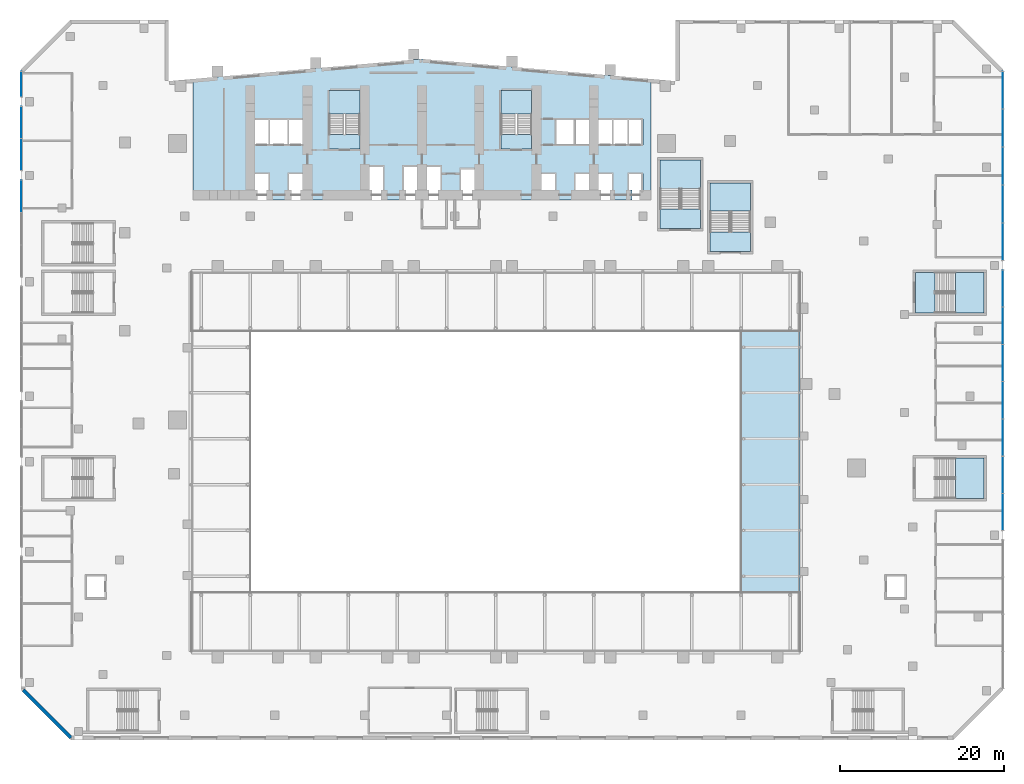
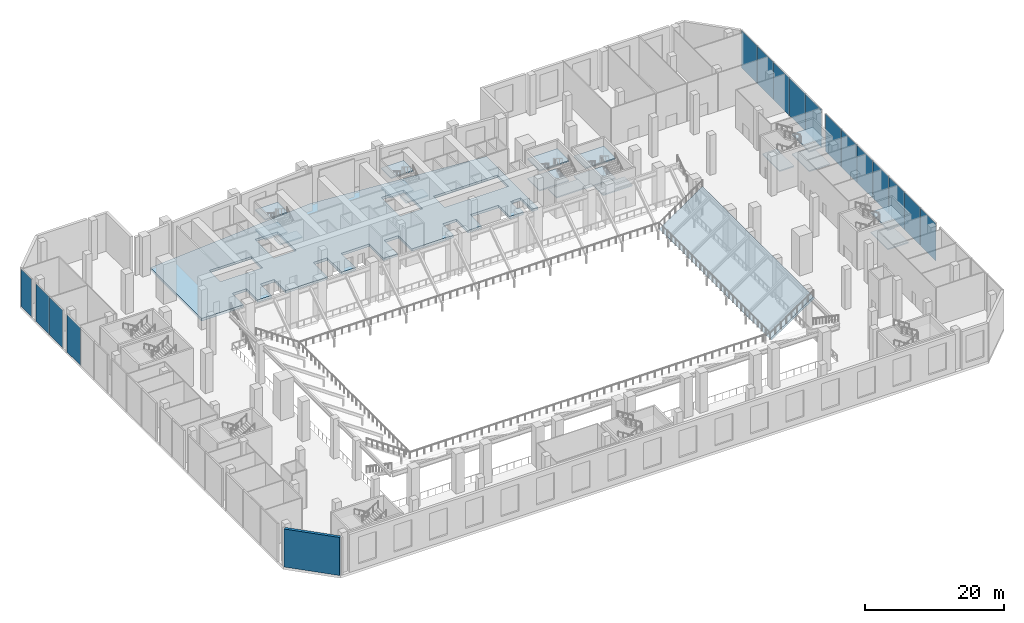
# One storey, part 19 of 41: 19 slabs, 16 plates, 1 wall, 11 elements without a shape of their own.
"""IFC4 building model written with IfcOpenShell, lengths in metres."""

from ifc_helpers import new_model, si_unit, direction, frame, frame_2d, origin, origin_2d, place, context, subcontext, project, spatial, polyline, rectangle, outline, extrude, material, layer, layer_set, type_object, element, aggregate, save


model = new_model("IFC4")

# Units and contexts
model_context = context("Model", 3, precision=1e-05, world=origin(), true_north=direction((0.0, 1.0)))
body_context = subcontext(model_context, "Body", "Model", "MODEL_VIEW")
ifc_project = project(units=[si_unit("LENGTHUNIT", "METRE"), si_unit("AREAUNIT", "SQUARE_METRE"), si_unit("VOLUMEUNIT", "CUBIC_METRE"), si_unit("PLANEANGLEUNIT", "RADIAN"), si_unit("MASSUNIT", "GRAM", prefix="KILO")], contexts=[model_context])

# Site, building, storey
site_placement = place(None, origin())
site = spatial("IfcSite", under=ifc_project, at=site_placement, CompositionType="ELEMENT")
building_placement = place(site_placement, origin())
building = spatial("IfcBuilding", under=site, at=building_placement, Name="Wharfspan Tower", CompositionType="ELEMENT")
storey_placement = place(building_placement, frame((0.0, 0.0, 8.0)))
storey = spatial("IfcBuildingStorey", under=building, at=storey_placement, Name="L01", CompositionType="ELEMENT", Elevation=8.0)

# Curtain wall, plates
ifc_material_1 = material(Name="Aluminium 6063-T6", Category="aluminium")
curtain_wall_type = type_object("IfcCurtainWallType", Name="CURTAIN WALL ARENA STICK WALL", PredefinedType="NOTDEFINED", material=ifc_material_1)
curtain_wall_1_placement = place(storey_placement, origin())
curtain_wall_1 = element("IfcCurtainWall", 1, at=curtain_wall_1_placement, inside=storey, type_object=curtain_wall_type, Name="Concourse stick wall PF3.2", PredefinedType="NOTDEFINED")
ifc_material_2 = material(Name="Glass clear laminated double glazing", Category="glass")
ifc_layer_1 = layer(ifc_material_2, 0.040039)
ifc_layer_set_1 = layer_set([ifc_layer_1], Name="Glass clear laminated double glazing")
plate_type = type_object("IfcPlateType", Name="GLASS PANEL ARENA STICK WALL 40", PredefinedType="CURTAIN_PANEL", material=ifc_layer_set_1)
plate_1_placement = place(storey_placement, frame((108.0, -4.153809, 0.0), z_axis=(0.0, 0.0, 1.0), x_axis=(0.0, 1.0, 0.0)))
plate_1 = element("IfcPlate", 2, at=plate_1_placement, type_object=plate_type, Name="Concourse stick wall PF3.2 panel 1", PredefinedType="CURTAIN_PANEL", context=body_context, shape_type="SweptSolid", body=[
    extrude(rectangle(XDim=4.452148, YDim=0.040039, at=origin_2d()), origin(), (0.0, 0.0, 1.0), 6.610107),
])
plate_2_placement = place(storey_placement, frame((108.0, 0.385742, 0.0), z_axis=(0.0, 0.0, 1.0), x_axis=(0.0, 1.0, 0.0)))
plate_2 = element("IfcPlate", 3, at=plate_2_placement, type_object=plate_type, Name="Concourse stick wall PF3.2 panel 2", PredefinedType="CURTAIN_PANEL", context=body_context, shape_type="SweptSolid", body=[
    extrude(rectangle(XDim=4.487061, YDim=0.040039, at=origin_2d()), origin(), (0.0, 0.0, 1.0), 6.610107),
])
plate_3_placement = place(storey_placement, frame((108.0, 4.942871, 0.0), z_axis=(0.0, 0.0, 1.0), x_axis=(0.0, 1.0, 0.0)))
plate_3 = element("IfcPlate", 4, at=plate_3_placement, type_object=plate_type, Name="Concourse stick wall PF3.2 panel 3", PredefinedType="CURTAIN_PANEL", context=body_context, shape_type="SweptSolid", body=[
    extrude(rectangle(XDim=4.487061, YDim=0.040039, at=origin_2d()), origin(), (0.0, 0.0, 1.0), 6.610107),
])
plate_4_placement = place(storey_placement, frame((108.0, 9.5, 0.0), z_axis=(0.0, 0.0, 1.0), x_axis=(0.0, 1.0, 0.0)))
plate_4 = element("IfcPlate", 5, at=plate_4_placement, type_object=plate_type, Name="Concourse stick wall PF3.2 panel 4", PredefinedType="CURTAIN_PANEL", context=body_context, shape_type="SweptSolid", body=[
    extrude(rectangle(XDim=4.487061, YDim=0.040039, at=origin_2d()), origin(), (0.0, 0.0, 1.0), 6.610107),
])
plate_5_placement = place(storey_placement, frame((108.0, 14.057129, 0.0), z_axis=(0.0, 0.0, 1.0), x_axis=(0.0, 1.0, 0.0)))
plate_5 = element("IfcPlate", 6, at=plate_5_placement, type_object=plate_type, Name="Concourse stick wall PF3.2 panel 5", PredefinedType="CURTAIN_PANEL", context=body_context, shape_type="SweptSolid", body=[
    extrude(rectangle(XDim=4.487061, YDim=0.040039, at=origin_2d()), origin(), (0.0, 0.0, 1.0), 6.610107),
])
plate_6_placement = place(storey_placement, frame((108.0, 18.614258, 0.0), z_axis=(0.0, 0.0, 1.0), x_axis=(0.0, 1.0, 0.0)))
plate_6 = element("IfcPlate", 7, at=plate_6_placement, type_object=plate_type, Name="Concourse stick wall PF3.2 panel 6", PredefinedType="CURTAIN_PANEL", context=body_context, shape_type="SweptSolid", body=[
    extrude(rectangle(XDim=4.487061, YDim=0.040039, at=origin_2d()), origin(), (0.0, 0.0, 1.0), 6.610107),
])
plate_7_placement = place(storey_placement, frame((108.0, 23.153809, 0.0), z_axis=(0.0, 0.0, 1.0), x_axis=(0.0, 1.0, 0.0)))
plate_7 = element("IfcPlate", 8, at=plate_7_placement, type_object=plate_type, Name="Concourse stick wall PF3.2 panel 7", PredefinedType="CURTAIN_PANEL", context=body_context, shape_type="SweptSolid", body=[
    extrude(rectangle(XDim=4.452148, YDim=0.040039, at=origin_2d()), origin(), (0.0, 0.0, 1.0), 6.610107),
])
aggregate(curtain_wall_1, [plate_1, plate_2, plate_3, plate_4, plate_5, plate_6, plate_7])

curtain_wall_2_placement = place(storey_placement, origin())
curtain_wall_2 = element("IfcCurtainWall", 9, at=curtain_wall_2_placement, inside=storey, type_object=curtain_wall_type, Name="Concourse stick wall PF3.3", PredefinedType="NOTDEFINED")
plate_8_placement = place(storey_placement, frame((108.0, 28.887451, 0.0), z_axis=(0.0, 0.0, 1.0), x_axis=(0.0, 1.0, 0.0)))
plate_8 = element("IfcPlate", 10, at=plate_8_placement, type_object=plate_type, Name="Concourse stick wall PF3.3 panel 1", PredefinedType="CURTAIN_PANEL", context=body_context, shape_type="SweptSolid", body=[
    extrude(rectangle(XDim=4.534912, YDim=0.040039, at=origin_2d()), origin(), (0.0, 0.0, 1.0), 6.610107),
])
plate_9_placement = place(storey_placement, frame((108.0, 33.51001, 0.0), z_axis=(0.0, 0.0, 1.0), x_axis=(0.0, 1.0, 0.0)))
plate_9 = element("IfcPlate", 11, at=plate_9_placement, type_object=plate_type, Name="Concourse stick wall PF3.3 panel 2", PredefinedType="CURTAIN_PANEL", context=body_context, shape_type="SweptSolid", body=[
    extrude(rectangle(XDim=4.570068, YDim=0.040039, at=origin_2d()), origin(), (0.0, 0.0, 1.0), 6.610107),
])
plate_10_placement = place(storey_placement, frame((108.0, 38.149902, 0.0), z_axis=(0.0, 0.0, 1.0), x_axis=(0.0, 1.0, 0.0)))
plate_10 = element("IfcPlate", 12, at=plate_10_placement, type_object=plate_type, Name="Concourse stick wall PF3.3 panel 3", PredefinedType="CURTAIN_PANEL", context=body_context, shape_type="SweptSolid", body=[
    extrude(rectangle(XDim=4.570068, YDim=0.040039, at=origin_2d()), origin(), (0.0, 0.0, 1.0), 6.610107),
])
plate_11_placement = place(storey_placement, frame((108.0, 42.790039, 0.0), z_axis=(0.0, 0.0, 1.0), x_axis=(0.0, 1.0, 0.0)))
plate_11 = element("IfcPlate", 13, at=plate_11_placement, type_object=plate_type, Name="Concourse stick wall PF3.3 panel 4", PredefinedType="CURTAIN_PANEL", context=body_context, shape_type="SweptSolid", body=[
    extrude(rectangle(XDim=4.570068, YDim=0.040039, at=origin_2d()), origin(), (0.0, 0.0, 1.0), 6.610107),
])
plate_12_placement = place(storey_placement, frame((108.0, 47.412598, 0.0), z_axis=(0.0, 0.0, 1.0), x_axis=(0.0, 1.0, 0.0)))
plate_12 = element("IfcPlate", 14, at=plate_12_placement, type_object=plate_type, Name="Concourse stick wall PF3.3 panel 5", PredefinedType="CURTAIN_PANEL", context=body_context, shape_type="SweptSolid", body=[
    extrude(rectangle(XDim=4.534912, YDim=0.040039, at=origin_2d()), origin(), (0.0, 0.0, 1.0), 6.610107),
])
aggregate(curtain_wall_2, [plate_8, plate_9, plate_10, plate_11, plate_12])

# Curtain wall, plate
curtain_wall_3_placement = place(storey_placement, origin())
curtain_wall_3 = element("IfcCurtainWall", 15, at=curtain_wall_3_placement, inside=storey, type_object=curtain_wall_type, Name="Concourse stick wall PF12.1", PredefinedType="NOTDEFINED")
plate_13_placement = place(storey_placement, frame((-12.0, 48.149902, 0.0), z_axis=(0.0, 0.0, 1.0), x_axis=(0.0, -1.0, 0.0)))
plate_13 = element("IfcPlate", 16, at=plate_13_placement, type_object=plate_type, Name="Concourse stick wall PF12.1 panel 1", PredefinedType="CURTAIN_PANEL", context=body_context, shape_type="SweptSolid", body=[
    extrude(rectangle(XDim=3.060059, YDim=0.040039, at=origin_2d()), origin(), (0.0, 0.0, 1.0), 6.610107),
])
aggregate(curtain_wall_3, [plate_13])

# Curtain wall, plates
curtain_wall_4_placement = place(storey_placement, origin())
curtain_wall_4 = element("IfcCurtainWall", 17, at=curtain_wall_4_placement, inside=storey, type_object=curtain_wall_type, Name="Concourse stick wall PF12.2", PredefinedType="NOTDEFINED")
plate_14_placement = place(storey_placement, frame((-12.0, 43.45752, 0.0), z_axis=(0.0, 0.0, 1.0), x_axis=(0.0, -1.0, 0.0)))
plate_14 = element("IfcPlate", 18, at=plate_14_placement, type_object=plate_type, Name="Concourse stick wall PF12.2 panel 1", PredefinedType="CURTAIN_PANEL", context=body_context, shape_type="SweptSolid", body=[
    extrude(rectangle(XDim=3.844971, YDim=0.040039, at=origin_2d()), origin(), (0.0, 0.0, 1.0), 6.610107),
])
plate_15_placement = place(storey_placement, frame((-12.0, 39.54248, 0.0), z_axis=(0.0, 0.0, 1.0), x_axis=(0.0, -1.0, 0.0)))
plate_15 = element("IfcPlate", 19, at=plate_15_placement, type_object=plate_type, Name="Concourse stick wall PF12.2 panel 2", PredefinedType="CURTAIN_PANEL", context=body_context, shape_type="SweptSolid", body=[
    extrude(rectangle(XDim=3.844971, YDim=0.040039, at=origin_2d()), origin(), (0.0, 0.0, 1.0), 6.610107),
])
aggregate(curtain_wall_4, [plate_14, plate_15])

# Curtain wall, plate
curtain_wall_5_placement = place(storey_placement, origin())
curtain_wall_5 = element("IfcCurtainWall", 20, at=curtain_wall_5_placement, inside=storey, type_object=curtain_wall_type, Name="Concourse stick wall PF12.3", PredefinedType="NOTDEFINED")
plate_16_placement = place(storey_placement, frame((-12.0, 34.449219, 0.0), z_axis=(0.0, 0.0, 1.0), x_axis=(0.0, -1.0, 0.0)))
plate_16 = element("IfcPlate", 21, at=plate_16_placement, type_object=plate_type, Name="Concourse stick wall PF12.3 panel 1", PredefinedType="CURTAIN_PANEL", context=body_context, shape_type="SweptSolid", body=[
    extrude(rectangle(XDim=3.861572, YDim=0.040039, at=origin_2d()), origin(), (0.0, 0.0, 1.0), 6.610107),
])
aggregate(curtain_wall_5, [plate_16])

# Slab
ifc_material_3 = material(Name="Concrete C35/45", Category="concrete")
ifc_layer_2 = layer(ifc_material_3, 0.449951)
ifc_layer_set_2 = layer_set([ifc_layer_2], Name="Concrete C35/45")
slab_type_1 = type_object("IfcSlabType", Name="Podium deck 450", PredefinedType="FLOOR", material=ifc_layer_set_2)
slab_1_placement = place(storey_placement, frame((0.0, 0.0, -0.450195)))
element("IfcSlab", 22, at=slab_1_placement, inside=storey, type_object=slab_type_1, Name="Core floor L01", PredefinedType="FLOOR", context=body_context, shape_type="SweptSolid", body=[
    extrude(outline(polyline([(65.0, 48.787354), (65.0, 34.0), (64.01001, 34.0), (64.01001, 37.26001), (62.656738, 37.26001), (62.656738, 37.159912), (62.290039, 37.159912), (62.290039, 35.189941), (62.656738, 35.189941), (62.656738, 34.0), (60.343262, 34.0), (60.343262, 37.26001), (55.656738, 37.26001), (55.656738, 34.0), (53.343262, 34.0), (53.343262, 37.26001), (50.98999, 37.26001), (50.98999, 34.0), (44.01001, 34.0), (44.01001, 37.860107), (41.656738, 37.860107), (41.656738, 34.0), (39.343262, 34.0), (39.343262, 38.159912), (34.656738, 38.159912), (34.656738, 34.0), (32.343262, 34.0), (32.343262, 38.159912), (29.98999, 38.159912), (29.98999, 34.0), (23.01001, 34.0), (23.01001, 37.26001), (20.656738, 37.26001), (20.656738, 34.0), (18.343262, 34.0), (18.343262, 37.26001), (15.98999, 37.26001), (15.98999, 34.0), (9.0, 34.0), (9.0, 48.787354), (37.0, 51.237061), (65.0, 48.787354)]), holes=[polyline([(53.323242, 43.909912), (53.323242, 40.689941), (64.01001, 40.689941), (64.01001, 43.909912), (53.323242, 43.909912)]), polyline([(50.409912, 41.98999), (50.409912, 47.409912), (46.639893, 47.409912), (46.639893, 41.98999), (50.409912, 41.98999)]), polyline([(29.409912, 41.98999), (29.409912, 47.409912), (25.639893, 47.409912), (25.639893, 41.98999), (29.409912, 41.98999)]), polyline([(20.676758, 40.689941), (23.01001, 40.689941), (23.01001, 43.909912), (20.676758, 43.909912), (20.656738, 43.909912), (15.98999, 43.909912), (15.98999, 40.689941), (20.656738, 40.689941), (20.676758, 40.689941)])]), origin(), (0.0, 0.0, 1.0), 0.450195),
])

# Stair, slabs
ifc_material_4 = material(Name="Concrete C40/50", Category="concrete")
stair_type_1 = type_object("IfcStairType", Name="Half-turn stair 2400 wide 40 risers 175 mm", PredefinedType="HALF_TURN_STAIR", material=ifc_material_4)
stair_1_placement = place(storey_placement, origin())
stair_1 = element("IfcStair", 23, at=stair_1_placement, inside=storey, type_object=stair_type_1, Name="L01 stair AS8", PredefinedType="HALF_TURN_STAIR")
ifc_layer_3 = layer(ifc_material_4, 0.199951)
ifc_layer_set_3 = layer_set([ifc_layer_3], Name="Concrete C40/50")
slab_type_2 = type_object("IfcSlabType", Name="Podium stair landing 200", PredefinedType="LANDING", material=ifc_layer_set_3)
slab_2_placement = place(storey_placement, frame((0.0, 0.0, 1.549805)))
slab_2 = element("IfcSlab", 24, at=slab_2_placement, type_object=slab_type_2, Name="AS8 landing 1", PredefinedType="LANDING", context=body_context, shape_type="SweptSolid", body=[
    extrude(outline(polyline([(102.219971, -2.5), (105.699951, -2.5), (105.699951, 2.449951), (102.219971, 2.449951), (102.219971, -2.5)])), origin(), (0.0, 0.0, 1.0), 0.200195),
])
slab_3_placement = place(storey_placement, frame((0.0, 0.0, 5.049805)))
slab_3 = element("IfcSlab", 25, at=slab_3_placement, type_object=slab_type_2, Name="AS8 landing 3", PredefinedType="LANDING", context=body_context, shape_type="SweptSolid", body=[
    extrude(outline(polyline([(102.219971, -2.5), (105.699951, -2.5), (105.699951, 2.449951), (102.219971, 2.449951), (102.219971, -2.5)])), origin(), (0.0, 0.0, 1.0), 0.200195),
])
aggregate(stair_1, [slab_2, slab_3])

stair_2_placement = place(storey_placement, origin())
stair_2 = element("IfcStair", 26, at=stair_2_placement, inside=storey, type_object=stair_type_1, Name="L01 stair AS4", PredefinedType="HALF_TURN_STAIR")
slab_4_placement = place(storey_placement, frame((0.0, 0.0, 1.549805)))
slab_4 = element("IfcSlab", 27, at=slab_4_placement, type_object=slab_type_2, Name="AS4 landing 1", PredefinedType="LANDING", context=body_context, shape_type="SweptSolid", body=[
    extrude(outline(polyline([(102.219971, 20.199951), (105.699951, 20.199951), (105.699951, 25.149902), (102.219971, 25.149902), (102.219971, 20.199951)])), origin(), (0.0, 0.0, 1.0), 0.200195),
])
slab_5_placement = place(storey_placement, frame((0.0, 0.0, 3.299805)))
slab_5 = element("IfcSlab", 28, at=slab_5_placement, type_object=slab_type_2, Name="AS4 landing 2", PredefinedType="LANDING", context=body_context, shape_type="SweptSolid", body=[
    extrude(outline(polyline([(97.300049, 20.199951), (99.699951, 20.199951), (99.699951, 25.149902), (97.300049, 25.149902), (97.300049, 20.199951)])), origin(), (0.0, 0.0, 1.0), 0.200195),
])
slab_6_placement = place(storey_placement, frame((0.0, 0.0, 5.049805)))
slab_6 = element("IfcSlab", 29, at=slab_6_placement, type_object=slab_type_2, Name="AS4 landing 3", PredefinedType="LANDING", context=body_context, shape_type="SweptSolid", body=[
    extrude(outline(polyline([(102.219971, 20.199951), (105.699951, 20.199951), (105.699951, 25.149902), (102.219971, 25.149902), (102.219971, 20.199951)])), origin(), (0.0, 0.0, 1.0), 0.200195),
])
aggregate(stair_2, [slab_4, slab_5, slab_6])

stair_3_placement = place(storey_placement, origin())
stair_3 = element("IfcStair", 30, at=stair_3_placement, inside=storey, type_object=stair_type_1, Name="L01 stair PS4", PredefinedType="HALF_TURN_STAIR")
slab_7_placement = place(storey_placement, frame((0.0, 0.0, 1.549805)))
slab_7 = element("IfcSlab", 31, at=slab_7_placement, type_object=slab_type_2, Name="PS4 landing 1", PredefinedType="LANDING", context=body_context, shape_type="SweptSolid", body=[
    extrude(outline(polyline([(71.050049, 35.419922), (71.050049, 38.899902), (66.100098, 38.899902), (66.100098, 35.419922), (71.050049, 35.419922)])), origin(), (0.0, 0.0, 1.0), 0.200195),
])
slab_8_placement = place(storey_placement, frame((0.0, 0.0, 3.299805)))
slab_8 = element("IfcSlab", 32, at=slab_8_placement, type_object=slab_type_2, Name="PS4 landing 2", PredefinedType="LANDING", context=body_context, shape_type="SweptSolid", body=[
    extrude(outline(polyline([(71.050049, 30.5), (71.050049, 32.899902), (66.100098, 32.899902), (66.100098, 30.5), (71.050049, 30.5)])), origin(), (0.0, 0.0, 1.0), 0.200195),
])
slab_9_placement = place(storey_placement, frame((0.0, 0.0, 5.049805)))
slab_9 = element("IfcSlab", 33, at=slab_9_placement, type_object=slab_type_2, Name="PS4 landing 3", PredefinedType="LANDING", context=body_context, shape_type="SweptSolid", body=[
    extrude(outline(polyline([(71.050049, 35.419922), (71.050049, 38.899902), (66.100098, 38.899902), (66.100098, 35.419922), (71.050049, 35.419922)])), origin(), (0.0, 0.0, 1.0), 0.200195),
])
aggregate(stair_3, [slab_7, slab_8, slab_9])

stair_4_placement = place(storey_placement, origin())
stair_4 = element("IfcStair", 34, at=stair_4_placement, inside=storey, type_object=stair_type_1, Name="L01 stair PS5", PredefinedType="HALF_TURN_STAIR")
slab_10_placement = place(storey_placement, frame((0.0, 0.0, 1.549805)))
slab_10 = element("IfcSlab", 35, at=slab_10_placement, type_object=slab_type_2, Name="PS5 landing 1", PredefinedType="LANDING", context=body_context, shape_type="SweptSolid", body=[
    extrude(outline(polyline([(77.16748, 32.620117), (77.16748, 36.100098), (72.217529, 36.100098), (72.217529, 32.620117), (77.16748, 32.620117)])), origin(), (0.0, 0.0, 1.0), 0.200195),
])
slab_11_placement = place(storey_placement, frame((0.0, 0.0, 3.299805)))
slab_11 = element("IfcSlab", 36, at=slab_11_placement, type_object=slab_type_2, Name="PS5 landing 2", PredefinedType="LANDING", context=body_context, shape_type="SweptSolid", body=[
    extrude(outline(polyline([(77.16748, 27.699951), (77.16748, 30.100098), (72.217529, 30.100098), (72.217529, 27.699951), (77.16748, 27.699951)])), origin(), (0.0, 0.0, 1.0), 0.200195),
])
slab_12_placement = place(storey_placement, frame((0.0, 0.0, 5.049805)))
slab_12 = element("IfcSlab", 37, at=slab_12_placement, type_object=slab_type_2, Name="PS5 landing 3", PredefinedType="LANDING", context=body_context, shape_type="SweptSolid", body=[
    extrude(outline(polyline([(77.16748, 32.620117), (77.16748, 36.100098), (72.217529, 36.100098), (72.217529, 32.620117), (77.16748, 32.620117)])), origin(), (0.0, 0.0, 1.0), 0.200195),
])
aggregate(stair_4, [slab_10, slab_11, slab_12])

stair_type_2 = type_object("IfcStairType", Name="Half-turn stair 40 risers 175 mm", PredefinedType="HALF_TURN_STAIR", material=ifc_material_4)
stair_5_placement = place(storey_placement, origin())
stair_5 = element("IfcStair", 38, at=stair_5_placement, inside=storey, type_object=stair_type_2, Name="L01 stair ST1", PredefinedType="HALF_TURN_STAIR")
ifc_layer_4 = layer(ifc_material_4, 0.199951)
ifc_layer_set_4 = layer_set([ifc_layer_4], Name="Concrete C40/50")
slab_type_3 = type_object("IfcSlabType", Name="Stair landing 200", PredefinedType="LANDING", material=ifc_layer_set_4)
slab_13_placement = place(storey_placement, frame((0.0, 0.0, 1.549805)))
slab_13 = element("IfcSlab", 39, at=slab_13_placement, type_object=slab_type_3, Name="ST1 landing 1", PredefinedType="LANDING", context=body_context, shape_type="SweptSolid", body=[
    extrude(outline(polyline([(29.399902, 44.52002), (29.399902, 47.399902), (25.649902, 47.399902), (25.649902, 44.52002), (29.399902, 44.52002)])), origin(), (0.0, 0.0, 1.0), 0.200195),
])
slab_14_placement = place(storey_placement, frame((0.0, 0.0, 3.299805)))
slab_14 = element("IfcSlab", 40, at=slab_14_placement, type_object=slab_type_3, Name="ST1 landing 2", PredefinedType="LANDING", context=body_context, shape_type="SweptSolid", body=[
    extrude(outline(polyline([(29.399902, 40.199951), (29.399902, 42.0), (25.649902, 42.0), (25.649902, 40.199951), (29.399902, 40.199951)])), origin(), (0.0, 0.0, 1.0), 0.200195),
])
slab_15_placement = place(storey_placement, frame((0.0, 0.0, 5.049805)))
slab_15 = element("IfcSlab", 41, at=slab_15_placement, type_object=slab_type_3, Name="ST1 landing 3", PredefinedType="LANDING", context=body_context, shape_type="SweptSolid", body=[
    extrude(outline(polyline([(29.399902, 44.52002), (29.399902, 47.399902), (25.649902, 47.399902), (25.649902, 44.52002), (29.399902, 44.52002)])), origin(), (0.0, 0.0, 1.0), 0.200195),
])
aggregate(stair_5, [slab_13, slab_14, slab_15])

stair_6_placement = place(storey_placement, origin())
stair_6 = element("IfcStair", 42, at=stair_6_placement, inside=storey, type_object=stair_type_2, Name="L01 stair ST2", PredefinedType="HALF_TURN_STAIR")
slab_16_placement = place(storey_placement, frame((0.0, 0.0, 1.549805)))
slab_16 = element("IfcSlab", 43, at=slab_16_placement, type_object=slab_type_3, Name="ST2 landing 1", PredefinedType="LANDING", context=body_context, shape_type="SweptSolid", body=[
    extrude(outline(polyline([(50.399902, 44.52002), (50.399902, 47.399902), (46.649902, 47.399902), (46.649902, 44.52002), (50.399902, 44.52002)])), origin(), (0.0, 0.0, 1.0), 0.200195),
])
slab_17_placement = place(storey_placement, frame((0.0, 0.0, 3.299805)))
slab_17 = element("IfcSlab", 44, at=slab_17_placement, type_object=slab_type_3, Name="ST2 landing 2", PredefinedType="LANDING", context=body_context, shape_type="SweptSolid", body=[
    extrude(outline(polyline([(50.399902, 40.199951), (50.399902, 42.0), (46.649902, 42.0), (46.649902, 40.199951), (50.399902, 40.199951)])), origin(), (0.0, 0.0, 1.0), 0.200195),
])
slab_18_placement = place(storey_placement, frame((0.0, 0.0, 5.049805)))
slab_18 = element("IfcSlab", 45, at=slab_18_placement, type_object=slab_type_3, Name="ST2 landing 3", PredefinedType="LANDING", context=body_context, shape_type="SweptSolid", body=[
    extrude(outline(polyline([(50.399902, 44.52002), (50.399902, 47.399902), (46.649902, 47.399902), (46.649902, 44.52002), (50.399902, 44.52002)])), origin(), (0.0, 0.0, 1.0), 0.200195),
])
aggregate(stair_6, [slab_16, slab_17, slab_18])

# Slab
ifc_layer_5 = layer(ifc_material_3, 0.37085)
ifc_layer_set_5 = layer_set([ifc_layer_5], Name="Concrete C35/45")
slab_type_4 = type_object("IfcSlabType", Name="Upper tier raked slab 371", PredefinedType="FLOOR", material=ifc_layer_set_5)
slab_19_placement = place(storey_placement, frame((76.0, -14.0, 2.050049), z_axis=(-0.566528, 0.0, 0.824043), x_axis=(0.824043, 0.0, 0.566528)))
element("IfcSlab", 46, at=slab_19_placement, inside=storey, type_object=slab_type_4, Name="Upper tier raked slab E", PredefinedType="FLOOR", context=body_context, shape_type="SweptSolid", body=[
    extrude(outline(polyline([(0.0, 0.0), (8.737352, 0.0), (8.737352, 32.0), (0.0, 32.0), (0.0, 0.0)])), origin(), (0.0, 0.0, -1.0), 0.37085),
])

# Wall
ifc_layer_6 = layer(ifc_material_4, 0.449951)
ifc_layer_set_6 = layer_set([ifc_layer_6], Name="Concrete C40/50")
wall_type = type_object("IfcWallType", Name="WALL BOARD-MARKED CONCRETE 450", PredefinedType="SOLIDWALL", material=ifc_layer_set_6)
wall_placement = place(storey_placement, frame((-11.770264, -25.911621, 0.0), z_axis=(0.0, 0.0, 1.0), x_axis=(0.707107, -0.707107, 0.0)))
element("IfcWall", 47, at=wall_placement, inside=storey, type_object=wall_type, Name="Podium wall PF13", PredefinedType="SOLIDWALL", context=body_context, shape_type="SweptSolid", body=[
    extrude(rectangle(XDim=8.2854, YDim=0.449951, at=frame_2d((4.142578, 0.0))), origin(), (0.0, 0.0, 1.0), 6.699951),
])

save(model, "model.ifc")
